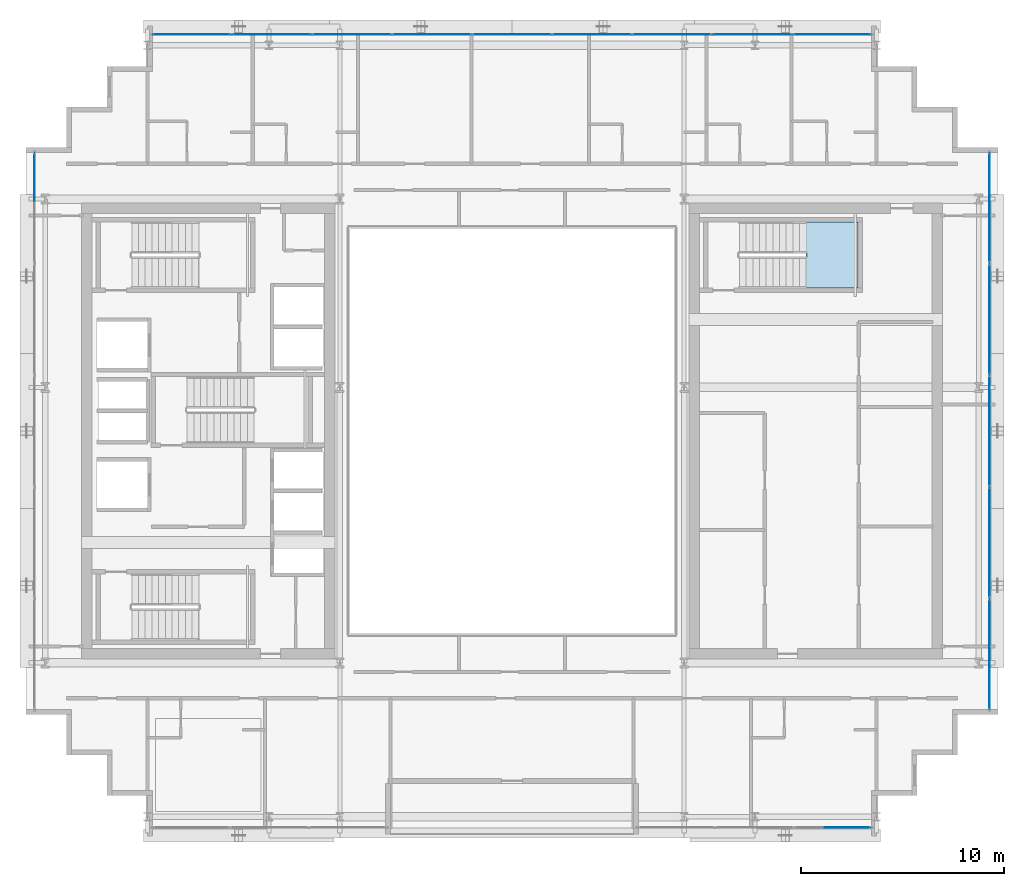
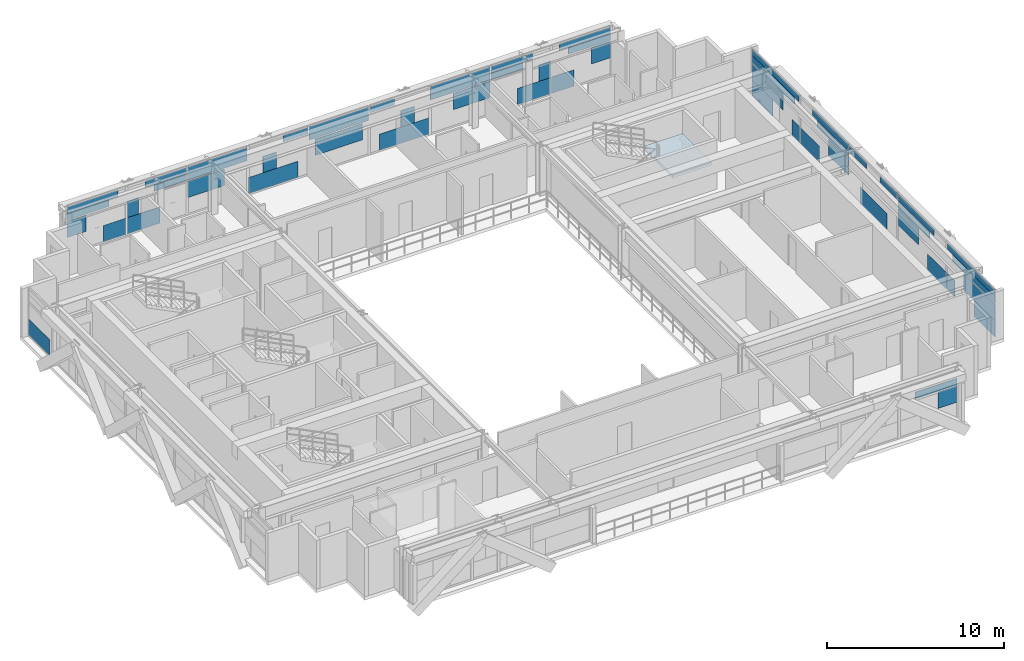
# One storey, part 21 of 31: 52 plates, 1 slab, 5 elements without a shape of their own.
"""IFC4 building model written with IfcOpenShell, lengths in metres."""

from ifc_helpers import new_model, si_unit, direction, frame, origin, origin_2d, place, context, subcontext, project, spatial, polyline, rectangle, outline, extrude, source, transform, mapped, material, layer, layer_set, type_object, element, aggregate, save


model = new_model("IFC4")

# Units and contexts
model_context = context("Model", 3, precision=1e-05, world=origin(), true_north=direction((0.0, 1.0)))
body_context = subcontext(model_context, "Body", "Model", "MODEL_VIEW")
ifc_project = project(units=[si_unit("LENGTHUNIT", "METRE"), si_unit("AREAUNIT", "SQUARE_METRE"), si_unit("VOLUMEUNIT", "CUBIC_METRE"), si_unit("PLANEANGLEUNIT", "RADIAN"), si_unit("MASSUNIT", "GRAM", prefix="KILO")], contexts=[model_context])

# Site, building, storey
site_placement = place(None, origin())
site = spatial("IfcSite", under=ifc_project, at=site_placement, CompositionType="ELEMENT")
building_placement = place(site_placement, origin())
building = spatial("IfcBuilding", under=site, at=building_placement, Name="Ocotamira Hotel", CompositionType="ELEMENT")
storey_placement = place(building_placement, frame((0.0, 0.0, 188.39990234375)))
storey = spatial("IfcBuildingStorey", under=building, at=storey_placement, Name="L47", CompositionType="ELEMENT", Elevation=188.39990234375)

# Stair, slab
ifc_material_1 = material(Name="Concrete C40/50", Category="concrete")
stair_type = type_object("IfcStairType", Name="ST-CORE-1560", PredefinedType="HALF_TURN_STAIR", material=ifc_material_1)
stair_placement = place(storey_placement, origin())
stair = element("IfcStair", 1, at=stair_placement, inside=storey, type_object=stair_type, Name="L47 Exit Stair ST-4", PredefinedType="HALF_TURN_STAIR")
ifc_layer_1 = layer(ifc_material_1, 0.199951171875)
ifc_layer_set_1 = layer_set([ifc_layer_1], Name="Concrete C40/50")
slab_type = type_object("IfcSlabType", Name="SLB-LAND-200", PredefinedType="LANDING", material=ifc_layer_set_1)
slab_placement = place(storey_placement, frame((0.0, 0.0, 1.60009765625)))
slab = element("IfcSlab", 2, at=slab_placement, type_object=slab_type, Name="ST-4 landing 1", PredefinedType="LANDING", context=body_context, shape_type="SweptSolid", body=[
    extrude(outline(polyline([(46.530029296875, 33.050048828125), (49.090087890625, 33.050048828125), (49.090087890625, 36.330078125), (46.530029296875, 36.330078125), (46.530029296875, 33.050048828125)])), origin(), (0.0, 0.0, 1.0), 0.199951171875),
])
aggregate(stair, [slab])

# Curtain wall, plates
ifc_material_2 = material(Name="Anodised pale-metal aluminium and solar glass", Category="aluminium")
ifc_layer_2 = layer(ifc_material_2, 0.199951171875)
ifc_layer_set_2 = layer_set([ifc_layer_2], Name="Anodised pale-metal aluminium and solar glass")
curtain_wall_type = type_object("IfcCurtainWallType", Name="CW-SYS4-Z3", PredefinedType="NOTDEFINED", material=ifc_layer_set_2)
curtain_wall_1_placement = place(storey_placement, origin())
curtain_wall_1 = element("IfcCurtainWall", 3, at=curtain_wall_1_placement, inside=storey, type_object=curtain_wall_type, Name="L47 Curtain Wall CW-4 CW-L47-N", PredefinedType="NOTDEFINED")
ifc_material_3 = material(Name="Double-silver low-E insulated solar glass", Category="glass")
ifc_layer_3 = layer(ifc_material_3, 0.031982421875)
ifc_layer_set_3 = layer_set([ifc_layer_3], Name="Double-silver low-E insulated solar glass")
plate_type = type_object("IfcPlateType", Name="CWP-VISION-32", PredefinedType="CURTAIN_PANEL", material=ifc_layer_set_3)
shared_shape_1 = source(origin(), body_context, "Body", "SweptSolid", [
    extrude(rectangle(XDim=3.87548828125, YDim=0.031982421875, at=origin_2d()), origin(), (0.0, 0.0, 1.0), 0.907470703125),
])
plate_1_placement = place(storey_placement, frame((24.0888671875, 45.580078125, 2.3876953125), z_axis=(0.0, 0.0, 1.0), x_axis=(1.0, 0.0, 0.0)))
plate_1 = element("IfcPlate", 4, at=plate_1_placement, type_object=plate_type, Name="CW-4 panel 3.2", PredefinedType="CURTAIN_PANEL", context=body_context, shape_type="MappedRepresentation", body=[
    mapped(shared_shape_1, transform((0.0, 0.0, 0.0), scale=1.0)),
])
plate_2_placement = place(storey_placement, frame((32.0, 45.580078125, 2.3876953125), z_axis=(0.0, 0.0, 1.0), x_axis=(1.0, 0.0, 0.0)))
plate_2 = element("IfcPlate", 5, at=plate_2_placement, type_object=plate_type, Name="CW-4 panel 5.2", PredefinedType="CURTAIN_PANEL", context=body_context, shape_type="MappedRepresentation", body=[
    mapped(shared_shape_1, transform((0.0, 0.0, 0.0), scale=1.0)),
])
plate_3_placement = place(storey_placement, frame((39.9111328125, 45.580078125, 2.3876953125), z_axis=(0.0, 0.0, 1.0), x_axis=(1.0, 0.0, 0.0)))
plate_3 = element("IfcPlate", 6, at=plate_3_placement, type_object=plate_type, Name="CW-4 panel 7.2", PredefinedType="CURTAIN_PANEL", context=body_context, shape_type="MappedRepresentation", body=[
    mapped(shared_shape_1, transform((0.0, 0.0, 0.0), scale=1.0)),
])

# Curtain wall, plate
curtain_wall_2_placement = place(storey_placement, origin())
curtain_wall_2 = element("IfcCurtainWall", 7, at=curtain_wall_2_placement, inside=storey, type_object=curtain_wall_type, Name="L47 Curtain Wall CW-4 CW-L47-S2", PredefinedType="NOTDEFINED")
shared_shape_2 = source(origin(), body_context, "Body", "SweptSolid", [
    extrude(rectangle(XDim=1.251953125, YDim=0.031982421875, at=origin_2d()), origin(), (0.0, 0.0, 1.0), 1.118896484375),
])
plate_4_placement = place(storey_placement, frame((49.093994140625, 6.419921875, 1.19384765625), z_axis=(0.0, 0.0, 1.0), x_axis=(1.0, 0.0, 0.0)))
plate_4 = element("IfcPlate", 8, at=plate_4_placement, type_object=plate_type, Name="CW-4 panel 3.1.2", PredefinedType="CURTAIN_PANEL", context=body_context, shape_type="MappedRepresentation", body=[
    mapped(shared_shape_2, transform((0.0, 0.0, 0.0), scale=1.0)),
])

# Plate
plate_5_placement = place(storey_placement, frame((14.906005859375, 45.580078125, 1.19384765625), z_axis=(0.0, 0.0, 1.0), x_axis=(1.0, 0.0, 0.0)))
plate_5 = element("IfcPlate", 9, at=plate_5_placement, type_object=plate_type, Name="CW-4 panel 1.1.1", PredefinedType="CURTAIN_PANEL", context=body_context, shape_type="MappedRepresentation", body=[
    mapped(shared_shape_2, transform((0.0, 0.0, 0.0), scale=1.0)),
])

plate_6_placement = place(storey_placement, frame((49.093994140625, 45.580078125, 1.19384765625), z_axis=(0.0, 0.0, 1.0), x_axis=(1.0, 0.0, 0.0)))
plate_6 = element("IfcPlate", 10, at=plate_6_placement, type_object=plate_type, Name="CW-4 panel 9.1.2", PredefinedType="CURTAIN_PANEL", context=body_context, shape_type="MappedRepresentation", body=[
    mapped(shared_shape_2, transform((0.0, 0.0, 0.0), scale=1.0)),
])

shared_shape_3 = source(origin(), body_context, "Body", "SweptSolid", [
    extrude(rectangle(XDim=2.744140625, YDim=0.031982421875, at=origin_2d()), origin(), (0.0, 0.0, 1.0), 0.443603515625),
])
plate_7_placement = place(storey_placement, frame((48.347900390625, 6.419921875, 2.3876953125), z_axis=(0.0, 0.0, 1.0), x_axis=(1.0, 0.0, 0.0)))
plate_7 = element("IfcPlate", 11, at=plate_7_placement, type_object=plate_type, Name="CW-4 panel 3.2.2", PredefinedType="CURTAIN_PANEL", context=body_context, shape_type="MappedRepresentation", body=[
    mapped(shared_shape_3, transform((0.0, 0.0, 0.0), scale=1.0)),
])

aggregate(curtain_wall_2, [plate_4, plate_7])

plate_8_placement = place(storey_placement, frame((15.652099609375, 45.580078125, 2.3876953125), z_axis=(0.0, 0.0, 1.0), x_axis=(1.0, 0.0, 0.0)))
plate_8 = element("IfcPlate", 12, at=plate_8_placement, type_object=plate_type, Name="CW-4 panel 1.2.1", PredefinedType="CURTAIN_PANEL", context=body_context, shape_type="MappedRepresentation", body=[
    mapped(shared_shape_3, transform((0.0, 0.0, 0.0), scale=1.0)),
])

plate_9_placement = place(storey_placement, frame((48.347900390625, 45.580078125, 2.3876953125), z_axis=(0.0, 0.0, 1.0), x_axis=(1.0, 0.0, 0.0)))
plate_9 = element("IfcPlate", 13, at=plate_9_placement, type_object=plate_type, Name="CW-4 panel 9.2.2", PredefinedType="CURTAIN_PANEL", context=body_context, shape_type="MappedRepresentation", body=[
    mapped(shared_shape_3, transform((0.0, 0.0, 0.0), scale=1.0)),
])

shared_shape_4 = source(origin(), body_context, "Body", "SweptSolid", [
    extrude(rectangle(XDim=3.337646484375, YDim=0.031982421875, at=origin_2d()), origin(), (0.0, 0.0, 1.0), 0.4326171875),
])
plate_10_placement = place(storey_placement, frame((15.94873046875, 45.580078125, 2.862548828125), z_axis=(0.0, 0.0, 1.0), x_axis=(1.0, 0.0, 0.0)))
plate_10 = element("IfcPlate", 14, at=plate_10_placement, type_object=plate_type, Name="CW-4 panel 1.2.2", PredefinedType="CURTAIN_PANEL", context=body_context, shape_type="MappedRepresentation", body=[
    mapped(shared_shape_4, transform((0.0, 0.0, 0.0), scale=1.0)),
])

plate_11_placement = place(storey_placement, frame((48.05126953125, 45.580078125, 2.862548828125), z_axis=(0.0, 0.0, 1.0), x_axis=(1.0, 0.0, 0.0)))
plate_11 = element("IfcPlate", 15, at=plate_11_placement, type_object=plate_type, Name="CW-4 panel 9.2.1", PredefinedType="CURTAIN_PANEL", context=body_context, shape_type="MappedRepresentation", body=[
    mapped(shared_shape_4, transform((0.0, 0.0, 0.0), scale=1.0)),
])

shared_shape_5 = source(origin(), body_context, "Body", "SweptSolid", [
    extrude(rectangle(XDim=1.463134765625, YDim=0.031982421875, at=origin_2d()), origin(), (0.0, 0.0, 1.0), 1.118896484375),
])
plate_12_placement = place(storey_placement, frame((17.384033203125, 45.580078125, 0.0751953125), z_axis=(0.0, 0.0, 1.0), x_axis=(1.0, 0.0, 0.0)))
plate_12 = element("IfcPlate", 16, at=plate_12_placement, type_object=plate_type, Name="CW-4 panel 1.1.2", PredefinedType="CURTAIN_PANEL", context=body_context, shape_type="MappedRepresentation", body=[
    mapped(shared_shape_5, transform((0.0, 0.0, 0.0), scale=1.0)),
])

plate_13_placement = place(storey_placement, frame((46.615966796875, 45.580078125, 0.0751953125), z_axis=(0.0, 0.0, 1.0), x_axis=(1.0, 0.0, 0.0)))
plate_13 = element("IfcPlate", 17, at=plate_13_placement, type_object=plate_type, Name="CW-4 panel 9.1.1", PredefinedType="CURTAIN_PANEL", context=body_context, shape_type="MappedRepresentation", body=[
    mapped(shared_shape_5, transform((0.0, 0.0, 0.0), scale=1.0)),
])

shared_shape_6 = source(origin(), body_context, "Body", "SweptSolid", [
    extrude(rectangle(XDim=2.152099609375, YDim=0.031982421875, at=origin_2d()), origin(), (0.0, 0.0, 1.0), 1.118896484375),
])
plate_14_placement = place(storey_placement, frame((19.271484375, 45.580078125, 0.0751953125), z_axis=(0.0, 0.0, 1.0), x_axis=(1.0, 0.0, 0.0)))
plate_14 = element("IfcPlate", 18, at=plate_14_placement, type_object=plate_type, Name="CW-4 panel 2.1.1", PredefinedType="CURTAIN_PANEL", context=body_context, shape_type="MappedRepresentation", body=[
    mapped(shared_shape_6, transform((0.0, 0.0, 0.0), scale=1.0)),
])

plate_15_placement = place(storey_placement, frame((44.728515625, 45.580078125, 0.0751953125), z_axis=(0.0, 0.0, 1.0), x_axis=(1.0, 0.0, 0.0)))
plate_15 = element("IfcPlate", 19, at=plate_15_placement, type_object=plate_type, Name="CW-4 panel 8.1.1", PredefinedType="CURTAIN_PANEL", context=body_context, shape_type="MappedRepresentation", body=[
    mapped(shared_shape_6, transform((0.0, 0.0, 0.0), scale=1.0)),
])

shared_shape_7 = source(origin(), body_context, "Body", "SweptSolid", [
    extrude(rectangle(XDim=0.75341796875, YDim=0.031982421875, at=origin_2d()), origin(), (0.0, 0.0, 1.0), 1.118896484375),
])
plate_16_placement = place(storey_placement, frame((18.572265625, 45.580078125, 1.19384765625), z_axis=(0.0, 0.0, 1.0), x_axis=(1.0, 0.0, 0.0)))
plate_16 = element("IfcPlate", 20, at=plate_16_placement, type_object=plate_type, Name="CW-4 panel 2.1.2", PredefinedType="CURTAIN_PANEL", context=body_context, shape_type="MappedRepresentation", body=[
    mapped(shared_shape_7, transform((0.0, 0.0, 0.0), scale=1.0)),
])

plate_17_placement = place(storey_placement, frame((45.427734375, 45.580078125, 1.19384765625), z_axis=(0.0, 0.0, 1.0), x_axis=(1.0, 0.0, 0.0)))
plate_17 = element("IfcPlate", 21, at=plate_17_placement, type_object=plate_type, Name="CW-4 panel 8.1.2", PredefinedType="CURTAIN_PANEL", context=body_context, shape_type="MappedRepresentation", body=[
    mapped(shared_shape_7, transform((0.0, 0.0, 0.0), scale=1.0)),
])

shared_shape_8 = source(origin(), body_context, "Body", "SweptSolid", [
    extrude(rectangle(XDim=2.688720703125, YDim=0.031982421875, at=origin_2d()), origin(), (0.0, 0.0, 1.0), 0.4326171875),
])
plate_18_placement = place(storey_placement, frame((20.726806640625, 45.580078125, 2.862548828125), z_axis=(0.0, 0.0, 1.0), x_axis=(1.0, 0.0, 0.0)))
plate_18 = element("IfcPlate", 22, at=plate_18_placement, type_object=plate_type, Name="CW-4 panel 2.2.1", PredefinedType="CURTAIN_PANEL", context=body_context, shape_type="MappedRepresentation", body=[
    mapped(shared_shape_8, transform((0.0, 0.0, 0.0), scale=1.0)),
])

plate_19_placement = place(storey_placement, frame((43.273193359375, 45.580078125, 2.862548828125), z_axis=(0.0, 0.0, 1.0), x_axis=(1.0, 0.0, 0.0)))
plate_19 = element("IfcPlate", 23, at=plate_19_placement, type_object=plate_type, Name="CW-4 panel 8.2.2", PredefinedType="CURTAIN_PANEL", context=body_context, shape_type="MappedRepresentation", body=[
    mapped(shared_shape_8, transform((0.0, 0.0, 0.0), scale=1.0)),
])

shared_shape_9 = source(origin(), body_context, "Body", "SweptSolid", [
    extrude(rectangle(XDim=2.09521484375, YDim=0.031982421875, at=origin_2d()), origin(), (0.0, 0.0, 1.0), 0.443603515625),
])
plate_20_placement = place(storey_placement, frame((21.0234375, 45.580078125, 2.3876953125), z_axis=(0.0, 0.0, 1.0), x_axis=(1.0, 0.0, 0.0)))
plate_20 = element("IfcPlate", 24, at=plate_20_placement, type_object=plate_type, Name="CW-4 panel 2.2.2", PredefinedType="CURTAIN_PANEL", context=body_context, shape_type="MappedRepresentation", body=[
    mapped(shared_shape_9, transform((0.0, 0.0, 0.0), scale=1.0)),
])

plate_21_placement = place(storey_placement, frame((42.9765625, 45.580078125, 2.3876953125), z_axis=(0.0, 0.0, 1.0), x_axis=(1.0, 0.0, 0.0)))
plate_21 = element("IfcPlate", 25, at=plate_21_placement, type_object=plate_type, Name="CW-4 panel 8.2.1", PredefinedType="CURTAIN_PANEL", context=body_context, shape_type="MappedRepresentation", body=[
    mapped(shared_shape_9, transform((0.0, 0.0, 0.0), scale=1.0)),
])

shared_shape_10 = source(origin(), body_context, "Body", "SweptSolid", [
    extrude(rectangle(XDim=2.380859375, YDim=0.031982421875, at=origin_2d()), origin(), (0.0, 0.0, 1.0), 1.118896484375),
])
plate_22_placement = place(storey_placement, frame((23.341552734375, 45.580078125, 1.19384765625), z_axis=(0.0, 0.0, 1.0), x_axis=(1.0, 0.0, 0.0)))
plate_22 = element("IfcPlate", 26, at=plate_22_placement, type_object=plate_type, Name="CW-4 panel 3.1.1", PredefinedType="CURTAIN_PANEL", context=body_context, shape_type="MappedRepresentation", body=[
    mapped(shared_shape_10, transform((0.0, 0.0, 0.0), scale=1.0)),
])

plate_23_placement = place(storey_placement, frame((40.658447265625, 45.580078125, 1.19384765625), z_axis=(0.0, 0.0, 1.0), x_axis=(1.0, 0.0, 0.0)))
plate_23 = element("IfcPlate", 27, at=plate_23_placement, type_object=plate_type, Name="CW-4 panel 7.1.1", PredefinedType="CURTAIN_PANEL", context=body_context, shape_type="MappedRepresentation", body=[
    mapped(shared_shape_10, transform((0.0, 0.0, 0.0), scale=1.0)),
])

shared_shape_11 = source(origin(), body_context, "Body", "SweptSolid", [
    extrude(rectangle(XDim=3.240966796875, YDim=0.031982421875, at=origin_2d()), origin(), (0.0, 0.0, 1.0), 1.118896484375),
])
plate_24_placement = place(storey_placement, frame((27.72705078125, 45.580078125, 0.0751953125), z_axis=(0.0, 0.0, 1.0), x_axis=(1.0, 0.0, 0.0)))
plate_24 = element("IfcPlate", 28, at=plate_24_placement, type_object=plate_type, Name="CW-4 panel 4.1.1", PredefinedType="CURTAIN_PANEL", context=body_context, shape_type="MappedRepresentation", body=[
    mapped(shared_shape_11, transform((0.0, 0.0, 0.0), scale=1.0)),
])

plate_25_placement = place(storey_placement, frame((36.27294921875, 45.580078125, 0.0751953125), z_axis=(0.0, 0.0, 1.0), x_axis=(1.0, 0.0, 0.0)))
plate_25 = element("IfcPlate", 29, at=plate_25_placement, type_object=plate_type, Name="CW-4 panel 6.1.1", PredefinedType="CURTAIN_PANEL", context=body_context, shape_type="MappedRepresentation", body=[
    mapped(shared_shape_11, transform((0.0, 0.0, 0.0), scale=1.0)),
])

shared_shape_12 = source(origin(), body_context, "Body", "SweptSolid", [
    extrude(rectangle(XDim=0.898193359375, YDim=0.031982421875, at=origin_2d()), origin(), (0.0, 0.0, 1.0), 1.118896484375),
])
plate_26_placement = place(storey_placement, frame((27.5, 45.580078125, 1.19384765625), z_axis=(0.0, 0.0, 1.0), x_axis=(1.0, 0.0, 0.0)))
plate_26 = element("IfcPlate", 30, at=plate_26_placement, type_object=plate_type, Name="CW-4 panel 4.1.2", PredefinedType="CURTAIN_PANEL", context=body_context, shape_type="MappedRepresentation", body=[
    mapped(shared_shape_12, transform((0.0, 0.0, 0.0), scale=1.0)),
])

plate_27_placement = place(storey_placement, frame((36.5, 45.580078125, 1.19384765625), z_axis=(0.0, 0.0, 1.0), x_axis=(1.0, 0.0, 0.0)))
plate_27 = element("IfcPlate", 31, at=plate_27_placement, type_object=plate_type, Name="CW-4 panel 6.1.2", PredefinedType="CURTAIN_PANEL", context=body_context, shape_type="MappedRepresentation", body=[
    mapped(shared_shape_12, transform((0.0, 0.0, 0.0), scale=1.0)),
])

shared_shape_13 = source(origin(), body_context, "Body", "SweptSolid", [
    extrude(rectangle(XDim=1.599853515625, YDim=0.031982421875, at=origin_2d()), origin(), (0.0, 0.0, 1.0), 0.4326171875),
])
plate_28_placement = place(storey_placement, frame((29.182373046875, 45.580078125, 2.862548828125), z_axis=(0.0, 0.0, 1.0), x_axis=(1.0, 0.0, 0.0)))
plate_28 = element("IfcPlate", 32, at=plate_28_placement, type_object=plate_type, Name="CW-4 panel 4.2.1", PredefinedType="CURTAIN_PANEL", context=body_context, shape_type="MappedRepresentation", body=[
    mapped(shared_shape_13, transform((0.0, 0.0, 0.0), scale=1.0)),
])

plate_29_placement = place(storey_placement, frame((34.817626953125, 45.580078125, 2.862548828125), z_axis=(0.0, 0.0, 1.0), x_axis=(1.0, 0.0, 0.0)))
plate_29 = element("IfcPlate", 33, at=plate_29_placement, type_object=plate_type, Name="CW-4 panel 6.2.1", PredefinedType="CURTAIN_PANEL", context=body_context, shape_type="MappedRepresentation", body=[
    mapped(shared_shape_13, transform((0.0, 0.0, 0.0), scale=1.0)),
])

shared_shape_14 = source(origin(), body_context, "Body", "SweptSolid", [
    extrude(rectangle(XDim=3.063720703125, YDim=0.031982421875, at=origin_2d()), origin(), (0.0, 0.0, 1.0), 1.118896484375),
])
plate_30_placement = place(storey_placement, frame((32.0, 45.580078125, 1.19384765625), z_axis=(0.0, 0.0, 1.0), x_axis=(1.0, 0.0, 0.0)))
plate_30 = element("IfcPlate", 34, at=plate_30_placement, type_object=plate_type, Name="CW-4 panel 5.1.1", PredefinedType="CURTAIN_PANEL", context=body_context, shape_type="MappedRepresentation", body=[
    mapped(shared_shape_14, transform((0.0, 0.0, 0.0), scale=1.0)),
])

aggregate(curtain_wall_1, [plate_5, plate_12, plate_8, plate_10, plate_14, plate_16, plate_18, plate_20, plate_22, plate_1, plate_24, plate_26, plate_28, plate_30, plate_2, plate_25, plate_27, plate_29, plate_23, plate_3, plate_15, plate_17, plate_21, plate_19, plate_13, plate_6, plate_11, plate_9])

# Curtain wall, plate
curtain_wall_3_placement = place(storey_placement, origin())
curtain_wall_3 = element("IfcCurtainWall", 35, at=curtain_wall_3_placement, inside=storey, type_object=curtain_wall_type, Name="L47 Curtain Wall CW-4 CW-L47-W", PredefinedType="NOTDEFINED")
shared_shape_15 = source(origin(), body_context, "Body", "SweptSolid", [
    extrude(rectangle(XDim=2.348388671875, YDim=0.031982421875, at=origin_2d()), origin(), (0.0, 0.0, 1.0), 1.118896484375),
])
plate_31_placement = place(storey_placement, frame((8.419921875, 38.5458984375, 0.0751953125), z_axis=(0.0, 0.0, 1.0), x_axis=(0.0, 1.0, 0.0)))
plate_31 = element("IfcPlate", 36, at=plate_31_placement, type_object=plate_type, Name="CW-4 panel 5.1.3", PredefinedType="CURTAIN_PANEL", context=body_context, shape_type="MappedRepresentation", body=[
    mapped(shared_shape_15, transform((0.0, 0.0, 0.0), scale=1.0)),
])
aggregate(curtain_wall_3, [plate_31])

# Curtain wall, plates
curtain_wall_4_placement = place(storey_placement, origin())
curtain_wall_4 = element("IfcCurtainWall", 37, at=curtain_wall_4_placement, inside=storey, type_object=curtain_wall_type, Name="L47 Curtain Wall CW-4 CW-L47-E", PredefinedType="NOTDEFINED")
plate_32_placement = place(storey_placement, frame((55.580078125, 13.4541015625, 0.0751953125), z_axis=(0.0, 0.0, 1.0), x_axis=(0.0, 1.0, 0.0)))
plate_32 = element("IfcPlate", 38, at=plate_32_placement, type_object=plate_type, Name="CW-4 panel 1.1.1", PredefinedType="CURTAIN_PANEL", context=body_context, shape_type="MappedRepresentation", body=[
    mapped(shared_shape_15, transform((0.0, 0.0, 0.0), scale=1.0)),
])
plate_33_placement = place(storey_placement, frame((55.580078125, 38.5458984375, 0.0751953125), z_axis=(0.0, 0.0, 1.0), x_axis=(0.0, 1.0, 0.0)))
plate_33 = element("IfcPlate", 39, at=plate_33_placement, type_object=plate_type, Name="CW-4 panel 5.1.3", PredefinedType="CURTAIN_PANEL", context=body_context, shape_type="MappedRepresentation", body=[
    mapped(shared_shape_15, transform((0.0, 0.0, 0.0), scale=1.0)),
])
shared_shape_16 = source(origin(), body_context, "Body", "SweptSolid", [
    extrude(rectangle(XDim=3.534423828125, YDim=0.031982421875, at=origin_2d()), origin(), (0.0, 0.0, 1.0), 1.118896484375),
])
plate_34_placement = place(storey_placement, frame((55.580078125, 14.047119140625, 1.19384765625), z_axis=(0.0, 0.0, 1.0), x_axis=(0.0, 1.0, 0.0)))
plate_34 = element("IfcPlate", 40, at=plate_34_placement, type_object=plate_type, Name="CW-4 panel 1.1.2", PredefinedType="CURTAIN_PANEL", context=body_context, shape_type="MappedRepresentation", body=[
    mapped(shared_shape_16, transform((0.0, 0.0, 0.0), scale=1.0)),
])
plate_35_placement = place(storey_placement, frame((55.580078125, 37.952880859375, 1.19384765625), z_axis=(0.0, 0.0, 1.0), x_axis=(0.0, 1.0, 0.0)))
plate_35 = element("IfcPlate", 41, at=plate_35_placement, type_object=plate_type, Name="CW-4 panel 5.1.2", PredefinedType="CURTAIN_PANEL", context=body_context, shape_type="MappedRepresentation", body=[
    mapped(shared_shape_16, transform((0.0, 0.0, 0.0), scale=1.0)),
])
shared_shape_17 = source(origin(), body_context, "Body", "SweptSolid", [
    extrude(rectangle(XDim=0.845458984375, YDim=0.031982421875, at=origin_2d()), origin(), (0.0, 0.0, 1.0), 1.118896484375),
])
plate_36_placement = place(storey_placement, frame((55.580078125, 17.25732421875, 0.0751953125), z_axis=(0.0, 0.0, 1.0), x_axis=(0.0, 1.0, 0.0)))
plate_36 = element("IfcPlate", 42, at=plate_36_placement, type_object=plate_type, Name="CW-4 panel 1.1.3", PredefinedType="CURTAIN_PANEL", context=body_context, shape_type="MappedRepresentation", body=[
    mapped(shared_shape_17, transform((0.0, 0.0, 0.0), scale=1.0)),
])
plate_37_placement = place(storey_placement, frame((55.580078125, 34.74267578125, 0.0751953125), z_axis=(0.0, 0.0, 1.0), x_axis=(0.0, 1.0, 0.0)))
plate_37 = element("IfcPlate", 43, at=plate_37_placement, type_object=plate_type, Name="CW-4 panel 5.1.1", PredefinedType="CURTAIN_PANEL", context=body_context, shape_type="MappedRepresentation", body=[
    mapped(shared_shape_17, transform((0.0, 0.0, 0.0), scale=1.0)),
])
shared_shape_18 = source(origin(), body_context, "Body", "SweptSolid", [
    extrude(rectangle(XDim=4.7998046875, YDim=0.031982421875, at=origin_2d()), origin(), (0.0, 0.0, 1.0), 0.4951171875),
])
plate_38_placement = place(storey_placement, frame((55.580078125, 14.679931640625, 2.387451171875), z_axis=(0.0, 0.0, 1.0), x_axis=(0.0, 1.0, 0.0)))
plate_38 = element("IfcPlate", 44, at=plate_38_placement, type_object=plate_type, Name="CW-4 panel 1.2.1", PredefinedType="CURTAIN_PANEL", context=body_context, shape_type="MappedRepresentation", body=[
    mapped(shared_shape_18, transform((0.0, 0.0, 0.0), scale=1.0)),
])
plate_39_placement = place(storey_placement, frame((55.580078125, 37.320068359375, 2.387451171875), z_axis=(0.0, 0.0, 1.0), x_axis=(0.0, 1.0, 0.0)))
plate_39 = element("IfcPlate", 45, at=plate_39_placement, type_object=plate_type, Name="CW-4 panel 5.2.2", PredefinedType="CURTAIN_PANEL", context=body_context, shape_type="MappedRepresentation", body=[
    mapped(shared_shape_18, transform((0.0, 0.0, 0.0), scale=1.0)),
])
shared_shape_19 = source(origin(), body_context, "Body", "SweptSolid", [
    extrude(rectangle(XDim=5.32470703125, YDim=0.031982421875, at=origin_2d()), origin(), (0.0, 0.0, 1.0), 0.41259765625),
])
plate_40_placement = place(storey_placement, frame((55.580078125, 14.9423828125, 2.882568359375), z_axis=(0.0, 0.0, 1.0), x_axis=(0.0, 1.0, 0.0)))
plate_40 = element("IfcPlate", 46, at=plate_40_placement, type_object=plate_type, Name="CW-4 panel 1.2.2", PredefinedType="CURTAIN_PANEL", context=body_context, shape_type="MappedRepresentation", body=[
    mapped(shared_shape_19, transform((0.0, 0.0, 0.0), scale=1.0)),
])
plate_41_placement = place(storey_placement, frame((55.580078125, 37.0576171875, 2.882568359375), z_axis=(0.0, 0.0, 1.0), x_axis=(0.0, 1.0, 0.0)))
plate_41 = element("IfcPlate", 47, at=plate_41_placement, type_object=plate_type, Name="CW-4 panel 5.2.1", PredefinedType="CURTAIN_PANEL", context=body_context, shape_type="MappedRepresentation", body=[
    mapped(shared_shape_19, transform((0.0, 0.0, 0.0), scale=1.0)),
])
shared_shape_20 = source(origin(), body_context, "Body", "SweptSolid", [
    extrude(rectangle(XDim=2.138671875, YDim=0.031982421875, at=origin_2d()), origin(), (0.0, 0.0, 1.0), 1.118896484375),
])
plate_42_placement = place(storey_placement, frame((55.580078125, 18.829345703125, 0.0751953125), z_axis=(0.0, 0.0, 1.0), x_axis=(0.0, 1.0, 0.0)))
plate_42 = element("IfcPlate", 48, at=plate_42_placement, type_object=plate_type, Name="CW-4 panel 2.1.1", PredefinedType="CURTAIN_PANEL", context=body_context, shape_type="MappedRepresentation", body=[
    mapped(shared_shape_20, transform((0.0, 0.0, 0.0), scale=1.0)),
])
plate_43_placement = place(storey_placement, frame((55.580078125, 33.170654296875, 0.0751953125), z_axis=(0.0, 0.0, 1.0), x_axis=(0.0, 1.0, 0.0)))
plate_43 = element("IfcPlate", 49, at=plate_43_placement, type_object=plate_type, Name="CW-4 panel 4.1.2", PredefinedType="CURTAIN_PANEL", context=body_context, shape_type="MappedRepresentation", body=[
    mapped(shared_shape_20, transform((0.0, 0.0, 0.0), scale=1.0)),
])
shared_shape_21 = source(origin(), body_context, "Body", "SweptSolid", [
    extrude(rectangle(XDim=2.281005859375, YDim=0.031982421875, at=origin_2d()), origin(), (0.0, 0.0, 1.0), 1.118896484375),
])
plate_44_placement = place(storey_placement, frame((55.580078125, 22.059326171875, 1.19384765625), z_axis=(0.0, 0.0, 1.0), x_axis=(0.0, 1.0, 0.0)))
plate_44 = element("IfcPlate", 50, at=plate_44_placement, type_object=plate_type, Name="CW-4 panel 2.1.2", PredefinedType="CURTAIN_PANEL", context=body_context, shape_type="MappedRepresentation", body=[
    mapped(shared_shape_21, transform((0.0, 0.0, 0.0), scale=1.0)),
])
plate_45_placement = place(storey_placement, frame((55.580078125, 29.940673828125, 1.19384765625), z_axis=(0.0, 0.0, 1.0), x_axis=(0.0, 1.0, 0.0)))
plate_45 = element("IfcPlate", 51, at=plate_45_placement, type_object=plate_type, Name="CW-4 panel 4.1.1", PredefinedType="CURTAIN_PANEL", context=body_context, shape_type="MappedRepresentation", body=[
    mapped(shared_shape_21, transform((0.0, 0.0, 0.0), scale=1.0)),
])
shared_shape_22 = source(origin(), body_context, "Body", "SweptSolid", [
    extrude(rectangle(XDim=4.071533203125, YDim=0.031982421875, at=origin_2d()), origin(), (0.0, 0.0, 1.0), 0.41259765625),
])
plate_46_placement = place(storey_placement, frame((55.580078125, 21.164306640625, 2.882568359375), z_axis=(0.0, 0.0, 1.0), x_axis=(0.0, 1.0, 0.0)))
plate_46 = element("IfcPlate", 52, at=plate_46_placement, type_object=plate_type, Name="CW-4 panel 2.2.1", PredefinedType="CURTAIN_PANEL", context=body_context, shape_type="MappedRepresentation", body=[
    mapped(shared_shape_22, transform((0.0, 0.0, 0.0), scale=1.0)),
])
plate_47_placement = place(storey_placement, frame((55.580078125, 30.835693359375, 2.882568359375), z_axis=(0.0, 0.0, 1.0), x_axis=(0.0, 1.0, 0.0)))
plate_47 = element("IfcPlate", 53, at=plate_47_placement, type_object=plate_type, Name="CW-4 panel 4.2.2", PredefinedType="CURTAIN_PANEL", context=body_context, shape_type="MappedRepresentation", body=[
    mapped(shared_shape_22, transform((0.0, 0.0, 0.0), scale=1.0)),
])
shared_shape_23 = source(origin(), body_context, "Body", "SweptSolid", [
    extrude(rectangle(XDim=3.546630859375, YDim=0.031982421875, at=origin_2d()), origin(), (0.0, 0.0, 1.0), 0.460693359375),
])
plate_48_placement = place(storey_placement, frame((55.580078125, 21.426513671875, 2.3876953125), z_axis=(0.0, 0.0, 1.0), x_axis=(0.0, 1.0, 0.0)))
plate_48 = element("IfcPlate", 54, at=plate_48_placement, type_object=plate_type, Name="CW-4 panel 2.2.2", PredefinedType="CURTAIN_PANEL", context=body_context, shape_type="MappedRepresentation", body=[
    mapped(shared_shape_23, transform((0.0, 0.0, 0.0), scale=1.0)),
])
plate_49_placement = place(storey_placement, frame((55.580078125, 30.573486328125, 2.3876953125), z_axis=(0.0, 0.0, 1.0), x_axis=(0.0, 1.0, 0.0)))
plate_49 = element("IfcPlate", 55, at=plate_49_placement, type_object=plate_type, Name="CW-4 panel 4.2.1", PredefinedType="CURTAIN_PANEL", context=body_context, shape_type="MappedRepresentation", body=[
    mapped(shared_shape_23, transform((0.0, 0.0, 0.0), scale=1.0)),
])
shared_shape_24 = source(origin(), body_context, "Body", "SweptSolid", [
    extrude(rectangle(XDim=3.064208984375, YDim=0.031982421875, at=origin_2d()), origin(), (0.0, 0.0, 1.0), 1.118896484375),
])
plate_50_placement = place(storey_placement, frame((55.580078125, 26.0, 0.0751953125), z_axis=(0.0, 0.0, 1.0), x_axis=(0.0, 1.0, 0.0)))
plate_50 = element("IfcPlate", 56, at=plate_50_placement, type_object=plate_type, Name="CW-4 panel 3.1.1", PredefinedType="CURTAIN_PANEL", context=body_context, shape_type="MappedRepresentation", body=[
    mapped(shared_shape_24, transform((0.0, 0.0, 0.0), scale=1.0)),
])
shared_shape_25 = source(origin(), body_context, "Body", "SweptSolid", [
    extrude(rectangle(XDim=1.958251953125, YDim=0.031982421875, at=origin_2d()), origin(), (0.0, 0.0, 1.0), 0.41259765625),
])
plate_51_placement = place(storey_placement, frame((55.580078125, 24.259033203125, 2.882568359375), z_axis=(0.0, 0.0, 1.0), x_axis=(0.0, 1.0, 0.0)))
plate_51 = element("IfcPlate", 57, at=plate_51_placement, type_object=plate_type, Name="CW-4 panel 3.2.1", PredefinedType="CURTAIN_PANEL", context=body_context, shape_type="MappedRepresentation", body=[
    mapped(shared_shape_25, transform((0.0, 0.0, 0.0), scale=1.0)),
])
plate_52_placement = place(storey_placement, frame((55.580078125, 27.740966796875, 2.882568359375), z_axis=(0.0, 0.0, 1.0), x_axis=(0.0, 1.0, 0.0)))
plate_52 = element("IfcPlate", 58, at=plate_52_placement, type_object=plate_type, Name="CW-4 panel 3.2.2", PredefinedType="CURTAIN_PANEL", context=body_context, shape_type="MappedRepresentation", body=[
    mapped(shared_shape_25, transform((0.0, 0.0, 0.0), scale=1.0)),
])
aggregate(curtain_wall_4, [plate_32, plate_34, plate_36, plate_38, plate_40, plate_42, plate_44, plate_46, plate_48, plate_50, plate_51, plate_52, plate_45, plate_43, plate_49, plate_47, plate_37, plate_35, plate_33, plate_41, plate_39])

save(model, "model.ifc")
